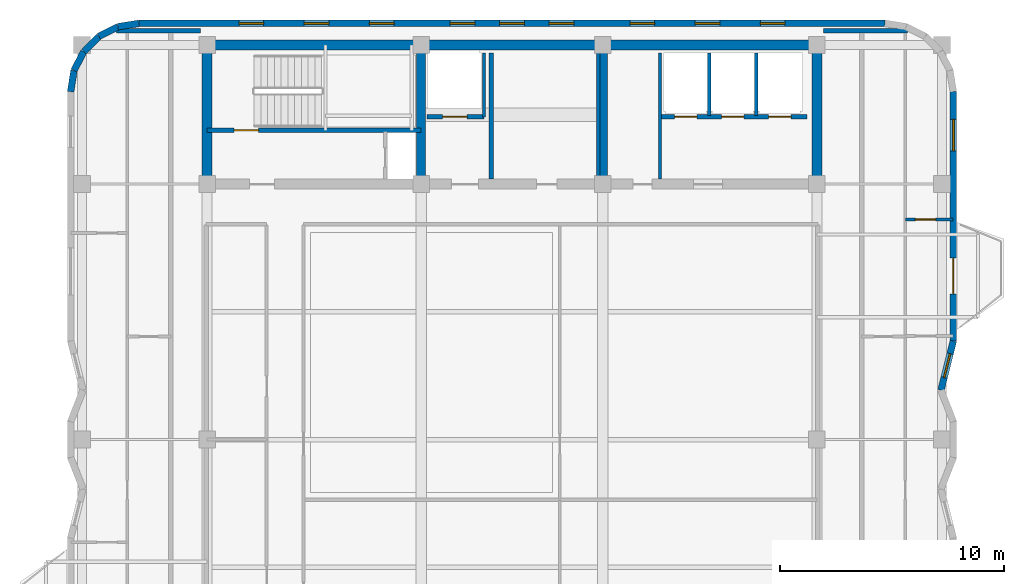
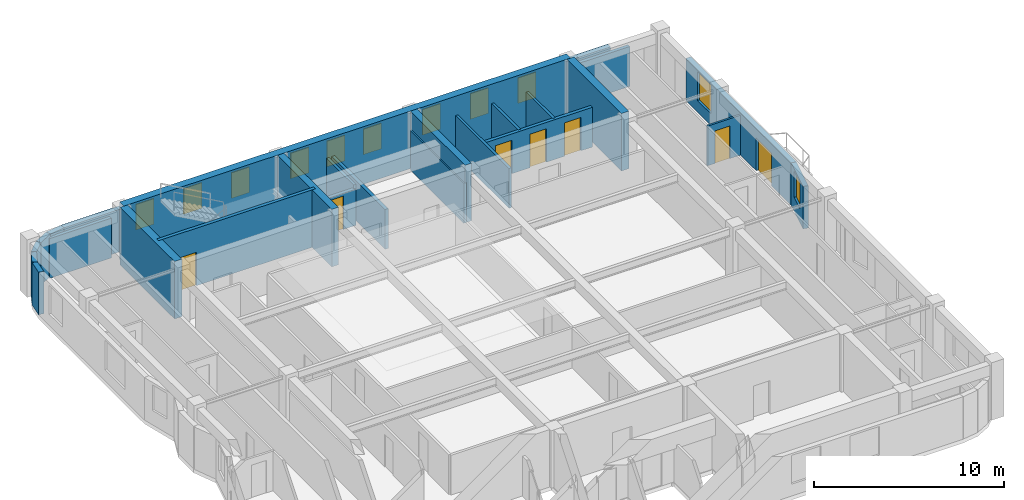
# One storey, part 5 of 8: 25 walls, 11 windows, 7 doors, 18 openings.
"""IFC4 building model written with IfcOpenShell, lengths in metres."""

from ifc_helpers import new_model, si_unit, direction, frame, frame_2d, origin, place, context, subcontext, project, spatial, rectangle, extrude, material, layer, layer_set, type_object, element, fill, save


model = new_model("IFC4")

# Units and contexts
model_context = context("Model", 3, precision=1e-05, world=origin(), true_north=direction((0.0, 1.0)))
body_context = subcontext(model_context, "Body", "Model", "MODEL_VIEW")
ifc_project = project(units=[si_unit("LENGTHUNIT", "METRE"), si_unit("AREAUNIT", "SQUARE_METRE"), si_unit("VOLUMEUNIT", "CUBIC_METRE"), si_unit("PLANEANGLEUNIT", "RADIAN"), si_unit("MASSUNIT", "GRAM", prefix="KILO")], contexts=[model_context])

# Site, building, storey
site_placement = place(None, origin())
site = spatial("IfcSite", under=ifc_project, at=site_placement, CompositionType="ELEMENT")
building_placement = place(site_placement, origin())
building = spatial("IfcBuilding", under=site, at=building_placement, Name="Svetorya Sky Lyceum", CompositionType="ELEMENT")
storey_placement = place(building_placement, frame((0.0, 0.0, 260.199951171875)))
storey = spatial("IfcBuildingStorey", under=building, at=storey_placement, Name="L65", CompositionType="ELEMENT", Elevation=260.199951171875)

# Walls
ifc_material_1 = material(Name="Concrete C40/50", Category="concrete")
ifc_layer_1 = layer(ifc_material_1, 0.39990234375)
ifc_layer_set_1 = layer_set([ifc_layer_1], Name="Concrete C40/50")
wall_type_1 = type_object("IfcWallType", Name="WL-CORE-400", PredefinedType="SHEAR", material=ifc_layer_set_1)
for number, where, z_axis, x_axis, name in (
    (1, (35.14990234375, 39.824951171875, 0.0), (0.0, 0.0, 1.0), (0.0, 1.0, 0.0), "L65 NC Internal Shear Web WEB1"),
    (2, (43.25, 39.824951171875, 0.0), (0.0, 0.0, 1.0), (0.0, 1.0, 0.0), "L65 NC Internal Shear Web WEB2"),
):
    element("IfcWall", number, at=place(storey_placement, frame(where, z_axis=z_axis, x_axis=x_axis)), inside=storey, type_object=wall_type_1, Name=name, PredefinedType="SHEAR", context=body_context, shape_type="SweptSolid", body=[
        extrude(rectangle(XDim=5.75, YDim=0.39990234375, at=frame_2d((2.875, 0.0))), origin(), (0.0, 0.0, 1.0), 3.699951171875),
    ])
ifc_material_2 = material(Name="Concrete C50/60", Category="concrete")
ifc_layer_2 = layer(ifc_material_2, 0.449951171875)
ifc_layer_set_2 = layer_set([ifc_layer_2], Name="Concrete C50/60")
wall_type_2 = type_object("IfcWallType", Name="WL-CORE-450", PredefinedType="SHEAR", material=ifc_layer_set_2)
wall_1_placement = place(storey_placement, frame((25.60009765625, 45.800048828125, 0.0), z_axis=(0.0, 0.0, 1.0), x_axis=(1.0, 0.0, 0.0)))
element("IfcWall", 3, at=wall_1_placement, inside=storey, type_object=wall_type_2, Name="L65 NC Outer Core Shear Wall", PredefinedType="SHEAR", context=body_context, shape_type="SweptSolid", body=[
    extrude(rectangle(XDim=27.199951171875, YDim=0.449951171875, at=frame_2d((13.60009765625, 0.0))), origin(), (0.0, 0.0, 1.0), 3.699951171875),
])
for number, where, z_axis, x_axis, name in (
    (4, (25.60009765625, 39.824951171875, 0.0), (0.0, 0.0, 1.0), (0.0, 1.0, 0.0), "L65 NC West Core Shear Wall"),
    (5, (52.800048828125, 39.824951171875, 0.0), (0.0, 0.0, 1.0), (0.0, 1.0, 0.0), "L65 NC East Core Shear Wall"),
):
    element("IfcWall", number, at=place(storey_placement, frame(where, z_axis=z_axis, x_axis=x_axis)), inside=storey, type_object=wall_type_2, Name=name, PredefinedType="SHEAR", context=body_context, shape_type="SweptSolid", body=[
        extrude(rectangle(XDim=5.75, YDim=0.449951171875, at=frame_2d((2.875, 0.0))), origin(), (0.0, 0.0, 1.0), 3.699951171875),
    ])

# Wall, opening, window
ifc_material_3 = material(Name="Putilovo limestone rainscreen on autoclaved cellular masonry", Category="masonry")
ifc_layer_3 = layer(ifc_material_3, 0.300048828125)
ifc_layer_set_3 = layer_set([ifc_layer_3], Name="Putilovo limestone rainscreen on autoclaved cellular masonry")
wall_type_3 = type_object("IfcWallType", Name="WL-EXT-300", PredefinedType="SOLIDWALL", material=ifc_layer_set_3)
wall_2_placement = place(storey_placement, frame((58.340087890625, 30.39990234375, 0.0), z_axis=(0.0, 0.0, 1.0), x_axis=(0.242434303349, 0.970167824946, 0.0)))
wall_2 = element("IfcWall", 6, at=wall_2_placement, inside=storey, type_object=wall_type_3, Name="L65 Limestone Exterior Wall 17M", PredefinedType="SOLIDWALL", context=body_context, shape_type="SweptSolid", body=[
    extrude(rectangle(XDim=2.267822265625, YDim=0.300048828125, at=frame_2d((1.1337890625, 0.0))), origin(), (0.0, 0.0, 1.0), 2.72998046875),
])
opening_1_placement = place(wall_2_placement, frame((0.583984375, 0.0, 0.919921875)))
opening_1 = element("IfcOpeningElement", 7, at=opening_1_placement, cuts=wall_2, Name="Opening W-R3", PredefinedType="OPENING", context=body_context, shape_type="SweptSolid", body=[
    extrude(rectangle(XDim=1.10009765625, YDim=1.64990234375, at=frame_2d((0.550048828125, 0.824951171875))), frame((0.0, 0.159912109375, 0.0), z_axis=(0.0, -1.0, 0.0), x_axis=(1.0, 0.0, 0.0)), (0.0, 0.0, 1.0), 0.320068359375),
])
ifc_material_4 = material(Name="Thermally broken aluminium frame with triple low-E glazing", Category="aluminium")
window_type_1 = type_object("IfcWindowType", Name="WN-RES-110", PartitioningType="SINGLE_PANEL", PredefinedType="WINDOW", material=ifc_material_4)
window_1_placement = place(opening_1_placement, origin())
window_1 = element("IfcWindow", 8, at=window_1_placement, inside=storey, type_object=window_type_1, Name="L65 Facade Window W-R3.17M.1", OverallHeight=1.64990234375, OverallWidth=1.10009765625, PartitioningType="SINGLE_PANEL", PredefinedType="WINDOW", context=body_context, shape_type="SweptSolid", body=[
    extrude(rectangle(XDim=1.10009765625, YDim=1.64990234375, at=frame_2d((0.550048828125, 0.824951171875))), frame((0.0, 0.030029296875, 0.0), z_axis=(0.0, -1.0, 0.0), x_axis=(1.0, 0.0, 0.0)), (0.0, 0.0, 1.0), 0.06005859375),
])
fill(opening_1, window_1)

# Wall, openings, door, window
wall_3_placement = place(storey_placement, frame((58.889892578125, 32.60009765625, 0.0), z_axis=(0.0, 0.0, 1.0), x_axis=(0.0, 1.0, 0.0)))
wall_3 = element("IfcWall", 9, at=wall_3_placement, inside=storey, type_object=wall_type_3, Name="L65 Limestone Exterior Wall 18M", PredefinedType="SOLIDWALL", context=body_context, shape_type="SweptSolid", body=[
    extrude(rectangle(XDim=11.119873046875, YDim=0.300048828125, at=frame_2d((5.56005859375, 0.0))), origin(), (0.0, 0.0, 1.0), 2.72998046875),
])
opening_2_placement = place(wall_3_placement, frame((2.10009765625, 0.0, 0.0)))
opening_2 = element("IfcOpeningElement", 10, at=opening_2_placement, cuts=wall_3, Name="Opening D-BL1", PredefinedType="OPENING", context=body_context, shape_type="SweptSolid", body=[
    extrude(rectangle(XDim=1.60009765625, YDim=2.10009765625, at=frame_2d((0.800048828125, 1.050048828125))), frame((0.0, 0.159912109375, 0.0), z_axis=(0.0, -1.0, 0.0), x_axis=(1.0, 0.0, 0.0)), (0.0, 0.0, 1.0), 0.320068359375),
])
opening_3_placement = place(wall_3_placement, frame((8.4833984375, 0.0, 0.760009765625)))
opening_3 = element("IfcOpeningElement", 11, at=opening_3_placement, cuts=wall_3, Name="Opening W-R2", PredefinedType="OPENING", context=body_context, shape_type="SweptSolid", body=[
    extrude(rectangle(XDim=1.39990234375, YDim=1.85009765625, at=frame_2d((0.699951171875, 0.925048828125))), frame((0.0, 0.159912109375, 0.0), z_axis=(0.0, -1.0, 0.0), x_axis=(1.0, 0.0, 0.0)), (0.0, 0.0, 1.0), 0.320068359375),
])
ifc_material_5 = material(Name="Insulated glazed aluminium balcony door", Category="aluminium")
door_type_1 = type_object("IfcDoorType", Name="DR-BAL-1600", OperationType="DOUBLE_DOOR_SINGLE_SWING", PredefinedType="DOOR", material=ifc_material_5)
door_1_placement = place(opening_2_placement, origin())
door_1 = element("IfcDoor", 12, at=door_1_placement, inside=storey, type_object=door_type_1, Name="L65 Balcony BAL-E1 Door", OperationType="DOUBLE_DOOR_SINGLE_SWING", OverallHeight=2.10009765625, OverallWidth=1.60009765625, PredefinedType="DOOR", context=body_context, shape_type="SweptSolid", body=[
    extrude(rectangle(XDim=1.60009765625, YDim=2.10009765625, at=frame_2d((0.800048828125, 1.050048828125))), frame((0.0, 0.02490234375, 0.0), z_axis=(0.0, -1.0, 0.0), x_axis=(1.0, 0.0, 0.0)), (0.0, 0.0, 1.0), 0.050048828125),
])
fill(opening_2, door_1)
window_type_2 = type_object("IfcWindowType", Name="WN-RES-140", PartitioningType="SINGLE_PANEL", PredefinedType="WINDOW", material=ifc_material_4)
window_2_placement = place(opening_3_placement, origin())
window_2 = element("IfcWindow", 13, at=window_2_placement, inside=storey, type_object=window_type_2, Name="L65 Facade Window W-R2.18M.1", OverallHeight=1.85009765625, OverallWidth=1.39990234375, PartitioningType="SINGLE_PANEL", PredefinedType="WINDOW", context=body_context, shape_type="SweptSolid", body=[
    extrude(rectangle(XDim=1.39990234375, YDim=1.85009765625, at=frame_2d((0.699951171875, 0.925048828125))), frame((0.0, 0.030029296875, 0.0), z_axis=(0.0, -1.0, 0.0), x_axis=(1.0, 0.0, 0.0)), (0.0, 0.0, 1.0), 0.06005859375),
])
fill(opening_3, window_2)

# Wall, openings, windows
wall_4_placement = place(storey_placement, frame((55.840087890625, 46.77001953125, 0.0), z_axis=(0.0, 0.0, 1.0), x_axis=(-1.0, 0.0, 0.0)))
wall_4 = element("IfcWall", 14, at=wall_4_placement, inside=storey, type_object=wall_type_3, Name="L65 Limestone Exterior Wall 24M", PredefinedType="SOLIDWALL", context=body_context, shape_type="SweptSolid", body=[
    extrude(rectangle(XDim=33.280029296875, YDim=0.300048828125, at=frame_2d((16.64013671875, 0.0))), origin(), (0.0, 0.0, 1.0), 2.72998046875),
])
opening_4_placement = place(wall_4_placement, frame((4.4609375, 0.0, 0.949951171875)))
opening_4 = element("IfcOpeningElement", 15, at=opening_4_placement, cuts=wall_4, Name="Opening W-R3", PredefinedType="OPENING", context=body_context, shape_type="SweptSolid", body=[
    extrude(rectangle(XDim=1.10009765625, YDim=1.64990234375, at=frame_2d((0.550048828125, 0.824951171875))), frame((0.0, 0.159912109375, 0.0), z_axis=(0.0, -1.0, 0.0), x_axis=(1.0, 0.0, 0.0)), (0.0, 0.0, 1.0), 0.320068359375),
])
opening_5_placement = place(wall_4_placement, frame((7.3681640625, 0.0, 0.949951171875)))
opening_5 = element("IfcOpeningElement", 16, at=opening_5_placement, cuts=wall_4, Name="Opening W-R3", PredefinedType="OPENING", context=body_context, shape_type="SweptSolid", body=[
    extrude(rectangle(XDim=1.10009765625, YDim=1.64990234375, at=frame_2d((0.550048828125, 0.824951171875))), frame((0.0, 0.159912109375, 0.0), z_axis=(0.0, -1.0, 0.0), x_axis=(1.0, 0.0, 0.0)), (0.0, 0.0, 1.0), 0.320068359375),
])
opening_6_placement = place(wall_4_placement, frame((10.275390625, 0.0, 0.949951171875)))
opening_6 = element("IfcOpeningElement", 17, at=opening_6_placement, cuts=wall_4, Name="Opening W-R3", PredefinedType="OPENING", context=body_context, shape_type="SweptSolid", body=[
    extrude(rectangle(XDim=1.10009765625, YDim=1.64990234375, at=frame_2d((0.550048828125, 0.824951171875))), frame((0.0, 0.159912109375, 0.0), z_axis=(0.0, -1.0, 0.0), x_axis=(1.0, 0.0, 0.0)), (0.0, 0.0, 1.0), 0.320068359375),
])
opening_7_placement = place(wall_4_placement, frame((13.8828125, 0.0, 0.949951171875)))
opening_7 = element("IfcOpeningElement", 18, at=opening_7_placement, cuts=wall_4, Name="Opening W-R3", PredefinedType="OPENING", context=body_context, shape_type="SweptSolid", body=[
    extrude(rectangle(XDim=1.10009765625, YDim=1.64990234375, at=frame_2d((0.550048828125, 0.824951171875))), frame((0.0, 0.159912109375, 0.0), z_axis=(0.0, -1.0, 0.0), x_axis=(1.0, 0.0, 0.0)), (0.0, 0.0, 1.0), 0.320068359375),
])
opening_8_placement = place(wall_4_placement, frame((16.090087890625, 0.0, 0.949951171875)))
opening_8 = element("IfcOpeningElement", 19, at=opening_8_placement, cuts=wall_4, Name="Opening W-R3", PredefinedType="OPENING", context=body_context, shape_type="SweptSolid", body=[
    extrude(rectangle(XDim=1.10009765625, YDim=1.64990234375, at=frame_2d((0.550048828125, 0.824951171875))), frame((0.0, 0.159912109375, 0.0), z_axis=(0.0, -1.0, 0.0), x_axis=(1.0, 0.0, 0.0)), (0.0, 0.0, 1.0), 0.320068359375),
])
opening_9_placement = place(wall_4_placement, frame((18.29736328125, 0.0, 0.949951171875)))
opening_9 = element("IfcOpeningElement", 20, at=opening_9_placement, cuts=wall_4, Name="Opening W-R3", PredefinedType="OPENING", context=body_context, shape_type="SweptSolid", body=[
    extrude(rectangle(XDim=1.10009765625, YDim=1.64990234375, at=frame_2d((0.550048828125, 0.824951171875))), frame((0.0, 0.159912109375, 0.0), z_axis=(0.0, -1.0, 0.0), x_axis=(1.0, 0.0, 0.0)), (0.0, 0.0, 1.0), 0.320068359375),
])
opening_10_placement = place(wall_4_placement, frame((21.904541015625, 0.0, 0.949951171875)))
opening_10 = element("IfcOpeningElement", 21, at=opening_10_placement, cuts=wall_4, Name="Opening W-R3", PredefinedType="OPENING", context=body_context, shape_type="SweptSolid", body=[
    extrude(rectangle(XDim=1.10009765625, YDim=1.64990234375, at=frame_2d((0.550048828125, 0.824951171875))), frame((0.0, 0.159912109375, 0.0), z_axis=(0.0, -1.0, 0.0), x_axis=(1.0, 0.0, 0.0)), (0.0, 0.0, 1.0), 0.320068359375),
])
opening_11_placement = place(wall_4_placement, frame((24.811767578125, 0.0, 0.949951171875)))
opening_11 = element("IfcOpeningElement", 22, at=opening_11_placement, cuts=wall_4, Name="Opening W-R3", PredefinedType="OPENING", context=body_context, shape_type="SweptSolid", body=[
    extrude(rectangle(XDim=1.10009765625, YDim=1.64990234375, at=frame_2d((0.550048828125, 0.824951171875))), frame((0.0, 0.159912109375, 0.0), z_axis=(0.0, -1.0, 0.0), x_axis=(1.0, 0.0, 0.0)), (0.0, 0.0, 1.0), 0.320068359375),
])
opening_12_placement = place(wall_4_placement, frame((27.718994140625, 0.0, 0.949951171875)))
opening_12 = element("IfcOpeningElement", 23, at=opening_12_placement, cuts=wall_4, Name="Opening W-R3", PredefinedType="OPENING", context=body_context, shape_type="SweptSolid", body=[
    extrude(rectangle(XDim=1.10009765625, YDim=1.64990234375, at=frame_2d((0.550048828125, 0.824951171875))), frame((0.0, 0.159912109375, 0.0), z_axis=(0.0, -1.0, 0.0), x_axis=(1.0, 0.0, 0.0)), (0.0, 0.0, 1.0), 0.320068359375),
])
window_3_placement = place(opening_4_placement, origin())
window_3 = element("IfcWindow", 24, at=window_3_placement, inside=storey, type_object=window_type_1, Name="L65 Facade Window W-R3.24M.1", OverallHeight=1.64990234375, OverallWidth=1.10009765625, PartitioningType="SINGLE_PANEL", PredefinedType="WINDOW", context=body_context, shape_type="SweptSolid", body=[
    extrude(rectangle(XDim=1.10009765625, YDim=1.64990234375, at=frame_2d((0.550048828125, 0.824951171875))), frame((0.0, 0.030029296875, 0.0), z_axis=(0.0, -1.0, 0.0), x_axis=(1.0, 0.0, 0.0)), (0.0, 0.0, 1.0), 0.06005859375),
])
fill(opening_4, window_3)
window_4_placement = place(opening_5_placement, origin())
window_4 = element("IfcWindow", 25, at=window_4_placement, inside=storey, type_object=window_type_1, Name="L65 Facade Window W-R3.24M.2", OverallHeight=1.64990234375, OverallWidth=1.10009765625, PartitioningType="SINGLE_PANEL", PredefinedType="WINDOW", context=body_context, shape_type="SweptSolid", body=[
    extrude(rectangle(XDim=1.10009765625, YDim=1.64990234375, at=frame_2d((0.550048828125, 0.824951171875))), frame((0.0, 0.030029296875, 0.0), z_axis=(0.0, -1.0, 0.0), x_axis=(1.0, 0.0, 0.0)), (0.0, 0.0, 1.0), 0.06005859375),
])
fill(opening_5, window_4)
window_5_placement = place(opening_6_placement, origin())
window_5 = element("IfcWindow", 26, at=window_5_placement, inside=storey, type_object=window_type_1, Name="L65 Facade Window W-R3.24M.3", OverallHeight=1.64990234375, OverallWidth=1.10009765625, PartitioningType="SINGLE_PANEL", PredefinedType="WINDOW", context=body_context, shape_type="SweptSolid", body=[
    extrude(rectangle(XDim=1.10009765625, YDim=1.64990234375, at=frame_2d((0.550048828125, 0.824951171875))), frame((0.0, 0.030029296875, 0.0), z_axis=(0.0, -1.0, 0.0), x_axis=(1.0, 0.0, 0.0)), (0.0, 0.0, 1.0), 0.06005859375),
])
fill(opening_6, window_5)
window_6_placement = place(opening_7_placement, origin())
window_6 = element("IfcWindow", 27, at=window_6_placement, inside=storey, type_object=window_type_1, Name="L65 Facade Window W-R3.24M.4", OverallHeight=1.64990234375, OverallWidth=1.10009765625, PartitioningType="SINGLE_PANEL", PredefinedType="WINDOW", context=body_context, shape_type="SweptSolid", body=[
    extrude(rectangle(XDim=1.10009765625, YDim=1.64990234375, at=frame_2d((0.550048828125, 0.824951171875))), frame((0.0, 0.030029296875, 0.0), z_axis=(0.0, -1.0, 0.0), x_axis=(1.0, 0.0, 0.0)), (0.0, 0.0, 1.0), 0.06005859375),
])
fill(opening_7, window_6)
window_7_placement = place(opening_8_placement, origin())
window_7 = element("IfcWindow", 28, at=window_7_placement, inside=storey, type_object=window_type_1, Name="L65 Facade Window W-R3.24M.5", OverallHeight=1.64990234375, OverallWidth=1.10009765625, PartitioningType="SINGLE_PANEL", PredefinedType="WINDOW", context=body_context, shape_type="SweptSolid", body=[
    extrude(rectangle(XDim=1.10009765625, YDim=1.64990234375, at=frame_2d((0.550048828125, 0.824951171875))), frame((0.0, 0.030029296875, 0.0), z_axis=(0.0, -1.0, 0.0), x_axis=(1.0, 0.0, 0.0)), (0.0, 0.0, 1.0), 0.06005859375),
])
fill(opening_8, window_7)
window_8_placement = place(opening_9_placement, origin())
window_8 = element("IfcWindow", 29, at=window_8_placement, inside=storey, type_object=window_type_1, Name="L65 Facade Window W-R3.24M.6", OverallHeight=1.64990234375, OverallWidth=1.10009765625, PartitioningType="SINGLE_PANEL", PredefinedType="WINDOW", context=body_context, shape_type="SweptSolid", body=[
    extrude(rectangle(XDim=1.10009765625, YDim=1.64990234375, at=frame_2d((0.550048828125, 0.824951171875))), frame((0.0, 0.030029296875, 0.0), z_axis=(0.0, -1.0, 0.0), x_axis=(1.0, 0.0, 0.0)), (0.0, 0.0, 1.0), 0.06005859375),
])
fill(opening_9, window_8)
window_9_placement = place(opening_10_placement, origin())
window_9 = element("IfcWindow", 30, at=window_9_placement, inside=storey, type_object=window_type_1, Name="L65 Facade Window W-R3.24M.7", OverallHeight=1.64990234375, OverallWidth=1.10009765625, PartitioningType="SINGLE_PANEL", PredefinedType="WINDOW", context=body_context, shape_type="SweptSolid", body=[
    extrude(rectangle(XDim=1.10009765625, YDim=1.64990234375, at=frame_2d((0.550048828125, 0.824951171875))), frame((0.0, 0.030029296875, 0.0), z_axis=(0.0, -1.0, 0.0), x_axis=(1.0, 0.0, 0.0)), (0.0, 0.0, 1.0), 0.06005859375),
])
fill(opening_10, window_9)
window_10_placement = place(opening_11_placement, origin())
window_10 = element("IfcWindow", 31, at=window_10_placement, inside=storey, type_object=window_type_1, Name="L65 Facade Window W-R3.24M.8", OverallHeight=1.64990234375, OverallWidth=1.10009765625, PartitioningType="SINGLE_PANEL", PredefinedType="WINDOW", context=body_context, shape_type="SweptSolid", body=[
    extrude(rectangle(XDim=1.10009765625, YDim=1.64990234375, at=frame_2d((0.550048828125, 0.824951171875))), frame((0.0, 0.030029296875, 0.0), z_axis=(0.0, -1.0, 0.0), x_axis=(1.0, 0.0, 0.0)), (0.0, 0.0, 1.0), 0.06005859375),
])
fill(opening_11, window_10)
window_11_placement = place(opening_12_placement, origin())
window_11 = element("IfcWindow", 32, at=window_11_placement, inside=storey, type_object=window_type_1, Name="L65 Facade Window W-R3.24M.9", OverallHeight=1.64990234375, OverallWidth=1.10009765625, PartitioningType="SINGLE_PANEL", PredefinedType="WINDOW", context=body_context, shape_type="SweptSolid", body=[
    extrude(rectangle(XDim=1.10009765625, YDim=1.64990234375, at=frame_2d((0.550048828125, 0.824951171875))), frame((0.0, 0.030029296875, 0.0), z_axis=(0.0, -1.0, 0.0), x_axis=(1.0, 0.0, 0.0)), (0.0, 0.0, 1.0), 0.06005859375),
])
fill(opening_12, window_11)

# Walls
wall_5_placement = place(storey_placement, frame((22.56005859375, 46.77001953125, 0.0), z_axis=(0.0, 0.0, 1.0), x_axis=(-0.987669453596, -0.156553666304, 0.0)))
element("IfcWall", 33, at=wall_5_placement, inside=storey, type_object=wall_type_3, Name="L65 Limestone Exterior Wall 25M", PredefinedType="SOLIDWALL", context=body_context, shape_type="SweptSolid", body=[
    extrude(rectangle(XDim=0.954345703125, YDim=0.300048828125, at=frame_2d((0.47705078125, 0.0))), origin(), (0.0, 0.0, 1.0), 2.72998046875),
])
wall_6_placement = place(storey_placement, frame((21.617431640625, 46.62060546875, 0.0), z_axis=(0.0, 0.0, 1.0), x_axis=(-0.891023873617, -0.45395644796, 0.0)))
element("IfcWall", 34, at=wall_6_placement, inside=storey, type_object=wall_type_3, Name="L65 Limestone Exterior Wall 26M", PredefinedType="SOLIDWALL", context=body_context, shape_type="SweptSolid", body=[
    extrude(rectangle(XDim=0.9541015625, YDim=0.300048828125, at=frame_2d((0.47705078125, 0.0))), origin(), (0.0, 0.0, 1.0), 2.72998046875),
])
wall_7_placement = place(storey_placement, frame((20.767333984375, 46.1875, 0.0), z_axis=(0.0, 0.0, 1.0), x_axis=(-0.707106781187, -0.707106781187, 0.0)))
element("IfcWall", 35, at=wall_7_placement, inside=storey, type_object=wall_type_3, Name="L65 Limestone Exterior Wall 27M", PredefinedType="SOLIDWALL", context=body_context, shape_type="SweptSolid", body=[
    extrude(rectangle(XDim=0.954345703125, YDim=0.300048828125, at=frame_2d((0.47705078125, 0.0))), origin(), (0.0, 0.0, 1.0), 2.72998046875),
])
wall_8_placement = place(storey_placement, frame((20.092529296875, 45.5126953125, 0.0), z_axis=(0.0, 0.0, 1.0), x_axis=(-0.454159573051, -0.890920356825, 0.0)))
element("IfcWall", 36, at=wall_8_placement, inside=storey, type_object=wall_type_3, Name="L65 Limestone Exterior Wall 28M", PredefinedType="SOLIDWALL", context=body_context, shape_type="SweptSolid", body=[
    extrude(rectangle(XDim=0.9541015625, YDim=0.300048828125, at=frame_2d((0.47705078125, 0.0))), origin(), (0.0, 0.0, 1.0), 2.72998046875),
])
wall_9_placement = place(storey_placement, frame((19.6591796875, 44.66259765625, 0.0), z_axis=(0.0, 0.0, 1.0), x_axis=(-0.156304114255, -0.987708977314, 0.0)))
element("IfcWall", 37, at=wall_9_placement, inside=storey, type_object=wall_type_3, Name="L65 Limestone Exterior Wall 29M", PredefinedType="SOLIDWALL", context=body_context, shape_type="SweptSolid", body=[
    extrude(rectangle(XDim=0.954345703125, YDim=0.300048828125, at=frame_2d((0.47705078125, 0.0))), origin(), (0.0, 0.0, 1.0), 2.72998046875),
])

# Wall, opening, door
ifc_material_6 = material(Name="Twin-stud galvanized framing with double fireboard", Category="gypsum")
ifc_layer_4 = layer(ifc_material_6, 0.1201171875)
ifc_layer_set_4 = layer_set([ifc_layer_4], Name="Twin-stud galvanized framing with double fireboard")
wall_type_4 = type_object("IfcWallType", Name="WL-PART-120", PredefinedType="PARTITIONING", material=ifc_layer_set_4)
wall_10_placement = place(storey_placement, frame((56.75, 38.02001953125, 0.0), z_axis=(0.0, 0.0, 1.0), x_axis=(1.0, 0.0, 0.0)))
wall_10 = element("IfcWall", 38, at=wall_10_placement, inside=storey, type_object=wall_type_4, Name="L65 Interior Partition E1-WL3", PredefinedType="PARTITIONING", context=body_context, shape_type="SweptSolid", body=[
    extrude(rectangle(XDim=2.1201171875, YDim=0.1201171875, at=frame_2d((1.06005859375, 0.0))), origin(), (0.0, 0.0, 1.0), 2.56005859375),
])
opening_13_placement = place(wall_10_placement, frame((0.449951171875, 0.0, 0.0)))
opening_13 = element("IfcOpeningElement", 39, at=opening_13_placement, cuts=wall_10, Name="Opening D-RM1", PredefinedType="OPENING", context=body_context, shape_type="SweptSolid", body=[
    extrude(rectangle(XDim=0.89990234375, YDim=2.10009765625, at=frame_2d((0.449951171875, 1.050048828125))), frame((0.0, 0.070068359375, 0.0), z_axis=(0.0, -1.0, 0.0), x_axis=(1.0, 0.0, 0.0)), (0.0, 0.0, 1.0), 0.14013671875),
])
ifc_material_7 = material(Name="Lacquered birch veneer internal door")
door_type_2 = type_object("IfcDoorType", Name="DR-INT-900", OperationType="SINGLE_SWING_LEFT", PredefinedType="DOOR", material=ifc_material_7)
door_2_placement = place(opening_13_placement, origin())
door_2 = element("IfcDoor", 40, at=door_2_placement, inside=storey, type_object=door_type_2, Name="Apartment E1 Bedroom 3 Door", OperationType="SINGLE_SWING_RIGHT", OverallHeight=2.10009765625, OverallWidth=0.89990234375, PredefinedType="DOOR", context=body_context, shape_type="SweptSolid", body=[
    extrude(rectangle(XDim=0.89990234375, YDim=2.10009765625, at=frame_2d((0.449951171875, 1.050048828125))), frame((0.0, 0.02490234375, 0.0), z_axis=(0.0, -1.0, 0.0), x_axis=(1.0, 0.0, 0.0)), (0.0, 0.0, 1.0), 0.050048828125),
])
fill(opening_13, door_2)

# Walls
ifc_material_8 = material(Name="Autoclaved cellular masonry blockwork with acoustic render", Category="masonry")
ifc_layer_5 = layer(ifc_material_8, 0.14990234375)
ifc_layer_set_5 = layer_set([ifc_layer_5], Name="Autoclaved cellular masonry blockwork with acoustic render")
wall_type_5 = type_object("IfcWallType", Name="WL-PART-150", PredefinedType="PARTITIONING", material=ifc_layer_set_5)
wall_11_placement = place(storey_placement, frame((37.949951171875, 42.60009765625, 0.0), z_axis=(0.0, 0.0, 1.0), x_axis=(0.0, 1.0, 0.0)))
element("IfcWall", 41, at=wall_11_placement, inside=storey, type_object=wall_type_5, Name="L65 Interior Partition NC-FL1SIDE", PredefinedType="PARTITIONING", context=body_context, shape_type="SweptSolid", body=[
    extrude(rectangle(XDim=2.849853515625, YDim=0.14990234375, at=frame_2d((1.4248046875, 0.0))), origin(), (0.0, 0.0, 1.0), 2.56005859375),
])
for number, where, z_axis, x_axis, name in (
    (42, (43.050048828125, 39.820068359375, 0.0), (0.0, 0.0, 1.0), (0.0, 1.0, 0.0), "L65 Interior Partition NC-FPM-END"),
    (43, (45.800048828125, 39.820068359375, 0.0), (0.0, 0.0, 1.0), (0.0, 1.0, 0.0), "L65 Interior Partition NC-PM3-FULL"),
):
    element("IfcWall", number, at=place(storey_placement, frame(where, z_axis=z_axis, x_axis=x_axis)), inside=storey, type_object=wall_type_5, Name=name, PredefinedType="PARTITIONING", context=body_context, shape_type="SweptSolid", body=[
        extrude(rectangle(XDim=5.6298828125, YDim=0.14990234375, at=frame_2d((2.81494140625, 0.0))), origin(), (0.0, 0.0, 1.0), 2.56005859375),
    ])
for number, where, z_axis, x_axis, name in (
    (44, (48.0, 42.64990234375, 0.0), (0.0, 0.0, 1.0), (0.0, 1.0, 0.0), "L65 Interior Partition NC-PH-D1"),
    (45, (50.10009765625, 42.64990234375, 0.0), (0.0, 0.0, 1.0), (0.0, 1.0, 0.0), "L65 Interior Partition NC-PH-D2"),
):
    element("IfcWall", number, at=place(storey_placement, frame(where, z_axis=z_axis, x_axis=x_axis)), inside=storey, type_object=wall_type_5, Name=name, PredefinedType="PARTITIONING", context=body_context, shape_type="SweptSolid", body=[
        extrude(rectangle(XDim=2.800048828125, YDim=0.14990234375, at=frame_2d((1.39990234375, 0.0))), origin(), (0.0, 0.0, 1.0), 2.56005859375),
    ])

# Wall, opening, door
ifc_material_9 = material(Name="Autoclaved cellular masonry blockwork with gypsum plaster", Category="masonry")
ifc_layer_6 = layer(ifc_material_9, 0.199951171875)
ifc_layer_set_6 = layer_set([ifc_layer_6], Name="Autoclaved cellular masonry blockwork with gypsum plaster")
wall_type_6 = type_object("IfcWallType", Name="WL-PART-200", PredefinedType="PARTITIONING", material=ifc_layer_set_6)
wall_12_placement = place(storey_placement, frame((37.949951171875, 42.60009765625, 0.0), z_axis=(0.0, 0.0, 1.0), x_axis=(-1.0, 0.0, 0.0)))
wall_12 = element("IfcWall", 46, at=wall_12_placement, inside=storey, type_object=wall_type_6, Name="L65 Interior Partition NC-FL1W", PredefinedType="PARTITIONING", context=body_context, shape_type="SweptSolid", body=[
    extrude(rectangle(XDim=2.550048828125, YDim=0.199951171875, at=frame_2d((1.27490234375, 0.0))), origin(), (0.0, 0.0, 1.0), 2.330078125),
])
opening_14_placement = place(wall_12_placement, frame((0.75, 0.0, 0.0)))
opening_14 = element("IfcOpeningElement", 47, at=opening_14_placement, cuts=wall_12, Name="Opening LD-FL", PredefinedType="OPENING", context=body_context, shape_type="SweptSolid", body=[
    extrude(rectangle(XDim=1.10009765625, YDim=2.14990234375, at=frame_2d((0.550048828125, 1.074951171875))), frame((0.0, 0.10986328125, 0.0), z_axis=(0.0, -1.0, 0.0), x_axis=(1.0, 0.0, 0.0)), (0.0, 0.0, 1.0), 0.219970703125),
])
ifc_material_10 = material(Name="Fire-rated stainless AISI 304 firefighting lift landing door")
door_type_3 = type_object("IfcDoorType", Name="DR-LIFT-1100", OperationType="SLIDING_TO_LEFT", PredefinedType="DOOR", material=ifc_material_10)
door_3_placement = place(opening_14_placement, origin())
door_3 = element("IfcDoor", 48, at=door_3_placement, inside=storey, type_object=door_type_3, Name="L65 Firefighting Lift FL1 Landing Door", OperationType="SLIDING_TO_LEFT", OverallHeight=2.14990234375, OverallWidth=1.10009765625, PredefinedType="DOOR", context=body_context, shape_type="SweptSolid", body=[
    extrude(rectangle(XDim=1.10009765625, YDim=2.14990234375, at=frame_2d((0.550048828125, 1.074951171875))), frame((0.0, 0.02490234375, 0.0), z_axis=(0.0, -1.0, 0.0), x_axis=(1.0, 0.0, 0.0)), (0.0, 0.0, 1.0), 0.050048828125),
])
fill(opening_14, door_3)

# Wall
wall_13_placement = place(storey_placement, frame((38.280029296875, 39.820068359375, 0.0), z_axis=(0.0, 0.0, 1.0), x_axis=(0.0, 1.0, 0.0)))
element("IfcWall", 49, at=wall_13_placement, inside=storey, type_object=wall_type_6, Name="L65 Interior Partition NC-FFLDIV", PredefinedType="PARTITIONING", context=body_context, shape_type="SweptSolid", body=[
    extrude(rectangle(XDim=5.6298828125, YDim=0.199951171875, at=frame_2d((2.81494140625, 0.0))), origin(), (0.0, 0.0, 1.0), 2.56005859375),
])

# Wall, openings, doors
wall_14_placement = place(storey_placement, frame((52.35009765625, 42.60009765625, 0.0), z_axis=(0.0, 0.0, 1.0), x_axis=(-1.0, 0.0, 0.0)))
wall_14 = element("IfcWall", 50, at=wall_14_placement, inside=storey, type_object=wall_type_6, Name="L65 Interior Partition NC-PHEW", PredefinedType="PARTITIONING", context=body_context, shape_type="SweptSolid", body=[
    extrude(rectangle(XDim=6.5, YDim=0.199951171875, at=frame_2d((3.25, 0.0))), origin(), (0.0, 0.0, 1.0), 2.56005859375),
])
opening_15_placement = place(wall_14_placement, frame((4.89990234375, 0.0, 0.0)))
opening_15 = element("IfcOpeningElement", 51, at=opening_15_placement, cuts=wall_14, Name="Opening LD-P1", PredefinedType="OPENING", context=body_context, shape_type="SweptSolid", body=[
    extrude(rectangle(XDim=1.0, YDim=2.14990234375, at=frame_2d((0.5, 1.074951171875))), frame((0.0, 0.10986328125, 0.0), z_axis=(0.0, -1.0, 0.0), x_axis=(1.0, 0.0, 0.0)), (0.0, 0.0, 1.0), 0.219970703125),
])
opening_16_placement = place(wall_14_placement, frame((2.800048828125, 0.0, 0.0)))
opening_16 = element("IfcOpeningElement", 52, at=opening_16_placement, cuts=wall_14, Name="Opening LD-P1", PredefinedType="OPENING", context=body_context, shape_type="SweptSolid", body=[
    extrude(rectangle(XDim=1.0, YDim=2.14990234375, at=frame_2d((0.5, 1.074951171875))), frame((0.0, 0.10986328125, 0.0), z_axis=(0.0, -1.0, 0.0), x_axis=(1.0, 0.0, 0.0)), (0.0, 0.0, 1.0), 0.219970703125),
])
opening_17_placement = place(wall_14_placement, frame((0.699951171875, 0.0, 0.0)))
opening_17 = element("IfcOpeningElement", 53, at=opening_17_placement, cuts=wall_14, Name="Opening LD-P1", PredefinedType="OPENING", context=body_context, shape_type="SweptSolid", body=[
    extrude(rectangle(XDim=1.0, YDim=2.14990234375, at=frame_2d((0.5, 1.074951171875))), frame((0.0, 0.10986328125, 0.0), z_axis=(0.0, -1.0, 0.0), x_axis=(1.0, 0.0, 0.0)), (0.0, 0.0, 1.0), 0.219970703125),
])
ifc_material_11 = material(Name="Champagne-anodized stainless passenger lift landing door")
door_type_4 = type_object("IfcDoorType", Name="DR-LIFT-1000", OperationType="SLIDING_TO_LEFT", PredefinedType="DOOR", material=ifc_material_11)
door_4_placement = place(opening_15_placement, origin())
door_4 = element("IfcDoor", 54, at=door_4_placement, inside=storey, type_object=door_type_4, Name="L65 Passenger Lift PH1 Landing Door", OperationType="SLIDING_TO_LEFT", OverallHeight=2.14990234375, OverallWidth=1.0, PredefinedType="DOOR", context=body_context, shape_type="SweptSolid", body=[
    extrude(rectangle(XDim=1.0, YDim=2.14990234375, at=frame_2d((0.5, 1.074951171875))), frame((0.0, 0.02490234375, 0.0), z_axis=(0.0, -1.0, 0.0), x_axis=(1.0, 0.0, 0.0)), (0.0, 0.0, 1.0), 0.050048828125),
])
fill(opening_15, door_4)
door_5_placement = place(opening_16_placement, origin())
door_5 = element("IfcDoor", 55, at=door_5_placement, inside=storey, type_object=door_type_4, Name="L65 Passenger Lift PH2 Landing Door", OperationType="SLIDING_TO_LEFT", OverallHeight=2.14990234375, OverallWidth=1.0, PredefinedType="DOOR", context=body_context, shape_type="SweptSolid", body=[
    extrude(rectangle(XDim=1.0, YDim=2.14990234375, at=frame_2d((0.5, 1.074951171875))), frame((0.0, 0.02490234375, 0.0), z_axis=(0.0, -1.0, 0.0), x_axis=(1.0, 0.0, 0.0)), (0.0, 0.0, 1.0), 0.050048828125),
])
fill(opening_16, door_5)
door_6_placement = place(opening_17_placement, origin())
door_6 = element("IfcDoor", 56, at=door_6_placement, inside=storey, type_object=door_type_4, Name="L65 Passenger Lift PH3 Landing Door", OperationType="SLIDING_TO_LEFT", OverallHeight=2.14990234375, OverallWidth=1.0, PredefinedType="DOOR", context=body_context, shape_type="SweptSolid", body=[
    extrude(rectangle(XDim=1.0, YDim=2.14990234375, at=frame_2d((0.5, 1.074951171875))), frame((0.0, 0.02490234375, 0.0), z_axis=(0.0, -1.0, 0.0), x_axis=(1.0, 0.0, 0.0)), (0.0, 0.0, 1.0), 0.050048828125),
])
fill(opening_17, door_6)

# Walls
wall_15_placement = place(storey_placement, frame((21.5458984375, 46.449951171875, 0.0), z_axis=(0.0, 0.0, 1.0), x_axis=(1.0, 0.0, 0.0)))
element("IfcWall", 57, at=wall_15_placement, inside=storey, type_object=wall_type_6, Name="L65 Interior Partition W-CAP-N", PredefinedType="PARTITIONING", context=body_context, shape_type="SweptSolid", body=[
    extrude(rectangle(XDim=3.754150390625, YDim=0.199951171875, at=frame_2d((1.876953125, 0.0))), origin(), (0.0, 0.0, 1.0), 2.56005859375),
])
wall_16_placement = place(storey_placement, frame((53.10009765625, 46.449951171875, 0.0), z_axis=(0.0, 0.0, 1.0), x_axis=(1.0, 0.0, 0.0)))
element("IfcWall", 58, at=wall_16_placement, inside=storey, type_object=wall_type_6, Name="L65 Interior Partition E-CAP-N", PredefinedType="PARTITIONING", context=body_context, shape_type="SweptSolid", body=[
    extrude(rectangle(XDim=3.75390625, YDim=0.199951171875, at=frame_2d((1.876953125, 0.0))), origin(), (0.0, 0.0, 1.0), 2.56005859375),
])

# Wall, opening, door
ifc_layer_7 = layer(ifc_material_2, 0.199951171875)
ifc_layer_set_7 = layer_set([ifc_layer_7], Name="Concrete C50/60")
wall_type_7 = type_object("IfcWallType", Name="WL-SHW-200", PredefinedType="SHEAR", material=ifc_layer_set_7)
wall_17_placement = place(storey_placement, frame((35.14990234375, 42.0, 0.0), z_axis=(0.0, 0.0, 1.0), x_axis=(-1.0, 0.0, 0.0)))
wall_17 = element("IfcWall", 59, at=wall_17_placement, inside=storey, type_object=wall_type_7, Name="L65 Structural Stair Shaft Wall NC-STW", PredefinedType="SHEAR", context=body_context, shape_type="SweptSolid", body=[
    extrude(rectangle(XDim=9.5498046875, YDim=0.199951171875, at=frame_2d((4.77490234375, 0.0))), origin(), (0.0, 0.0, 1.0), 3.699951171875),
])
opening_18_placement = place(wall_17_placement, frame((7.25, 0.0, 0.0)))
opening_18 = element("IfcOpeningElement", 60, at=opening_18_placement, cuts=wall_17, Name="Opening D-ST1", PredefinedType="OPENING", context=body_context, shape_type="SweptSolid", body=[
    extrude(rectangle(XDim=1.10009765625, YDim=2.14990234375, at=frame_2d((0.550048828125, 1.074951171875))), frame((0.0, 0.10986328125, 0.0), z_axis=(0.0, -1.0, 0.0), x_axis=(1.0, 0.0, 0.0)), (0.0, 0.0, 1.0), 0.219970703125),
])
ifc_material_12 = material(Name="Powder-coated insulated galvanized stair fire door")
door_type_5 = type_object("IfcDoorType", Name="DR-FIRE-1100", OperationType="SINGLE_SWING_LEFT", PredefinedType="DOOR", material=ifc_material_12)
door_7_placement = place(opening_18_placement, origin())
door_7 = element("IfcDoor", 61, at=door_7_placement, inside=storey, type_object=door_type_5, Name="L65 Stair ST-N Vestibule Fire Door", OperationType="SINGLE_SWING_RIGHT", OverallHeight=2.14990234375, OverallWidth=1.10009765625, PredefinedType="DOOR", context=body_context, shape_type="SweptSolid", body=[
    extrude(rectangle(XDim=1.10009765625, YDim=2.14990234375, at=frame_2d((0.550048828125, 1.074951171875))), frame((0.0, 0.02490234375, 0.0), z_axis=(0.0, -1.0, 0.0), x_axis=(1.0, 0.0, 0.0)), (0.0, 0.0, 1.0), 0.050048828125),
])
fill(opening_18, door_7)

save(model, "model.ifc")
